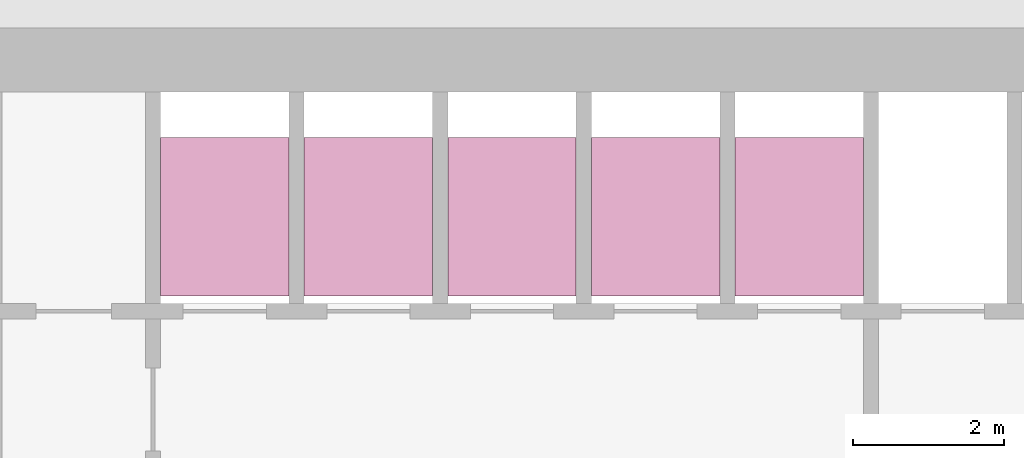
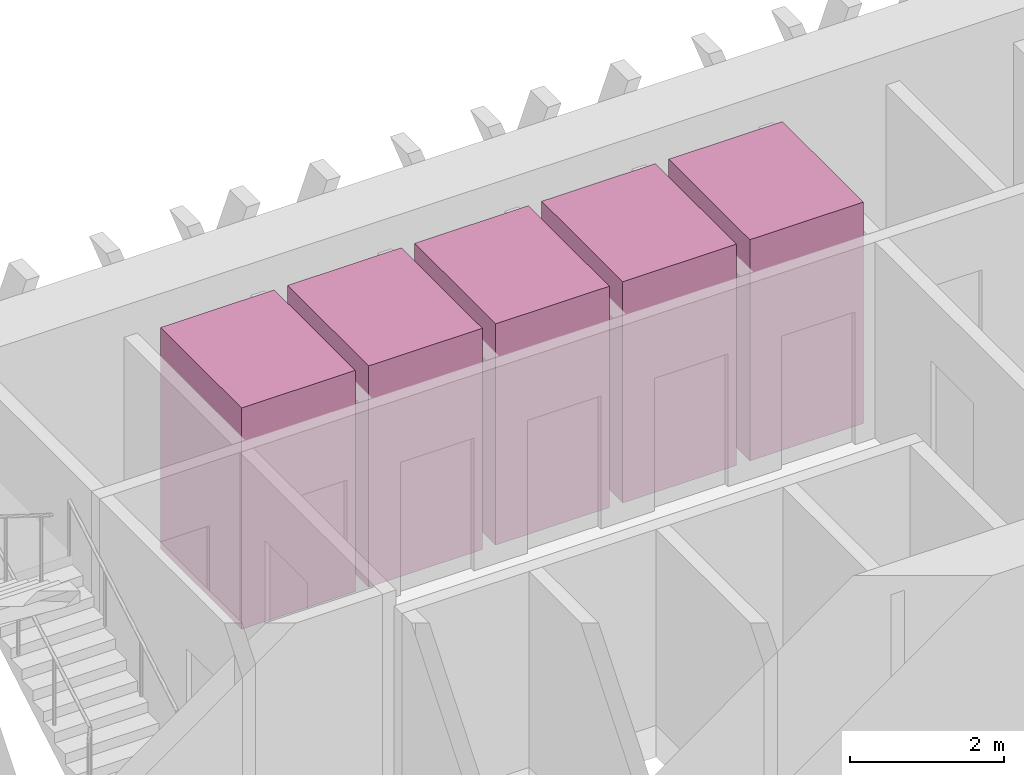
# One storey, part 16 of 16: 5 transport elements.
"""IFC4 building model written with IfcOpenShell, lengths in metres."""

import ifcopenshell
import ifcopenshell.guid

model = None  # the IFC model being written
_history = None  # IfcOwnerHistory: only IFC2X3 demands one
_inside = {}  # id of a spatial element -> (the spatial element, [elements in it])
_under = {}  # id of a project, library or spatial element -> (it, [spatial elements below it])
_declared = {}  # id of a project -> (the project, [libraries it declares])
_typed = {}  # id of a type object -> (the type object, [elements of that type])
_made_of = {}  # id of a material, layer set ... -> (it, [elements and type objects made of it])


def new_model(schema):
    """Start an empty IFC model of exactly this schema.

    Asked for "IFC4X3", IfcOpenShell would pick the latest addendum, in which some entities
    have other attributes; the version numbers below select the first issue.
    IFC2X3 requires an IfcOwnerHistory on every rooted entity: one is made here for all.
    """
    global model, _history
    if schema == "IFC4X3":
        model = ifcopenshell.file(schema_version=(4, 3, 0, 0))
    else:
        model = ifcopenshell.file(schema=schema)
    _inside.clear()
    _under.clear()
    _declared.clear()
    _typed.clear()
    _made_of.clear()
    _history = None
    if model.schema == "IFC2X3":
        org = make("IfcOrganization", Name="unknown")
        user = make(
            "IfcPersonAndOrganization",
            ThePerson=make("IfcPerson", FamilyName="unknown"),
            TheOrganization=org,
        )
        app = make(
            "IfcApplication",
            ApplicationDeveloper=org,
            Version="unknown",
            ApplicationFullName="unknown",
            ApplicationIdentifier="unknown",
        )
        _history = make(
            "IfcOwnerHistory",
            OwningUser=user,
            OwningApplication=app,
            ChangeAction="ADDED",
            CreationDate=0,
        )
    return model


def make(cls, **values):
    """One entity of the class cls with the attributes given. An attribute that is None is left unset."""
    return model.create_entity(
        cls, **{name: value for name, value in values.items() if value is not None}
    )


def rooted(cls, **values):
    """An entity with a GlobalId (a new one), such as an element, a storey or a relation."""
    return make(cls, GlobalId=ifcopenshell.guid.new(), OwnerHistory=_history, **values)


def si_unit(unit_type, name, prefix=None):
    """IfcSIUnit, for example si_unit("LENGTHUNIT", "METRE", prefix="MILLI")."""
    return make("IfcSIUnit", UnitType=unit_type, Prefix=prefix, Name=name)


def assignment(units):
    """IfcUnitAssignment: the units of a project."""
    return None if units is None else make("IfcUnitAssignment", Units=units)


def point(xyz):
    """IfcCartesianPoint."""
    return None if xyz is None else make("IfcCartesianPoint", Coordinates=xyz)


def direction(xyz):
    """IfcDirection."""
    return None if xyz is None else make("IfcDirection", DirectionRatios=xyz)


def frame(location, z_axis=None, x_axis=None):
    """IfcAxis2Placement3D, a coordinate frame: its origin and axes. An axis left out is left unset."""
    return make(
        "IfcAxis2Placement3D",
        Location=point(location),
        Axis=direction(z_axis),
        RefDirection=direction(x_axis),
    )


def frame_2d(location, x_axis=None):
    """IfcAxis2Placement2D, a coordinate frame in the plane: its origin and x axis."""
    return make(
        "IfcAxis2Placement2D", Location=point(location), RefDirection=direction(x_axis)
    )


def origin():
    """The frame at (0, 0, 0) with its axes left unset."""
    return frame((0.0, 0.0, 0.0))


def origin_2d():
    """The frame at (0, 0) in the plane with its x axis left unset."""
    return frame_2d((0.0, 0.0))


def place(relative_to, where):
    """IfcLocalPlacement: puts the frame where relative to a parent placement (None: the world)."""
    return make(
        "IfcLocalPlacement", PlacementRelTo=relative_to, RelativePlacement=where
    )


def context(
    kind, dimensions, precision=None, world=None, true_north=None, identifier=None
):
    """IfcGeometricRepresentationContext, for example the 3D "Model" context."""
    return make(
        "IfcGeometricRepresentationContext",
        ContextIdentifier=identifier,
        ContextType=kind,
        CoordinateSpaceDimension=dimensions,
        Precision=precision,
        WorldCoordinateSystem=world,
        TrueNorth=true_north,
    )


def subcontext(parent, identifier, kind, view, scale=None):
    """IfcGeometricRepresentationSubContext, for example "Body" below "Model"."""
    return make(
        "IfcGeometricRepresentationSubContext",
        ContextIdentifier=identifier,
        ContextType=kind,
        ParentContext=parent,
        TargetScale=scale,
        TargetView=view,
    )


def project(units=None, contexts=None):
    """IfcProject with its units and contexts."""
    return rooted(
        "IfcProject",
        Name="project",
        RepresentationContexts=contexts,
        UnitsInContext=assignment(units),
    )


def spatial(cls, under=None, at=None, **own):
    """A site, building, storey or space (cls), placed at a placement, below another one or the project."""
    s = rooted(cls, ObjectPlacement=at, **own)
    if under is not None:
        _under.setdefault(under.id(), (under, []))[1].append(s)
    return s


def profile(cls, at=None, kind="AREA", **sizes):
    """A parametric profile (cls). Its sizes go by their IFC names, for example OverallWidth=200.0."""
    return make(cls, ProfileType=kind, Position=at, **sizes)


def rectangle(**sizes):
    """IfcRectangleProfileDef."""
    return profile("IfcRectangleProfileDef", **sizes)


def extrude(swept, where, along, depth):
    """IfcExtrudedAreaSolid: the profile swept, set in the frame where, extruded along a direction by depth."""
    return make(
        "IfcExtrudedAreaSolid",
        SweptArea=swept,
        Position=where,
        ExtrudedDirection=direction(along),
        Depth=depth,
    )


def shape(context_of_items, identifier, shape_type, items):
    """IfcShapeRepresentation: the items that make up one representation, for example the "Body"."""
    return make(
        "IfcShapeRepresentation",
        ContextOfItems=context_of_items,
        RepresentationIdentifier=identifier,
        RepresentationType=shape_type,
        Items=items,
    )


def material(Name=None, Category=None):
    """IfcMaterial."""
    return make("IfcMaterial", Name=Name, Category=Category)


def made_of(thing, what):
    """Note that an element or type object is made of a material, layer set ...; save() writes the relation."""
    if what is not None:
        _made_of.setdefault(what.id(), (what, []))[1].append(thing)
    return thing


def type_object(cls, material=None, **own):
    """A type object (cls), such as IfcWallType, which elements share."""
    return made_of(rooted(cls, **own), material)


def element(
    cls,
    number,
    at=None,
    inside=None,
    cuts=None,
    type_object=None,
    material=None,
    context=None,
    identifier="Body",
    shape_type=None,
    held_by="IfcProductDefinitionShape",
    body=None,
    shapes=None,
    **own,
):
    """One element of the class cls, such as IfcWall. Its Tag is "e" and its number.

    at: its placement. inside: the storey or other place that contains it. cuts: it is an
    opening in that element (IfcRelVoidsElement). A single representation is given by context,
    identifier, shape_type and body (its items); several are given by shapes. held_by: the class
    of the entity that holds the representations. save() writes the other relations.
    """
    e = rooted(cls, Tag="e%d" % number, ObjectPlacement=at, **own)
    if body is not None:
        shapes = [shape(context, identifier, shape_type, body)]
    if shapes is not None:
        e.Representation = make(held_by, Representations=shapes)
    if inside is not None:
        _inside.setdefault(inside.id(), (inside, []))[1].append(e)
    if cuts is not None:
        rooted(
            "IfcRelVoidsElement", RelatingBuildingElement=cuts, RelatedOpeningElement=e
        )
    if type_object is not None:
        _typed.setdefault(type_object.id(), (type_object, []))[1].append(e)
    return made_of(e, material)


def aggregate(whole, parts):
    """IfcRelAggregates: a whole, such as a stair, and the parts it consists of."""
    return rooted("IfcRelAggregates", RelatingObject=whole, RelatedObjects=parts)


def save(model, path):
    """Write the relations noted so far, then the file.

    IfcRelAggregates (storeys below a building ...), IfcRelContainedInSpatialStructure (elements
    in a storey), IfcRelDefinesByType, IfcRelAssociatesMaterial and IfcRelDeclares: one each for
    every whole, place, type object, material and project.
    """
    for whole, parts in _under.values():
        aggregate(whole, parts)
    for where, things in _inside.values():
        rooted(
            "IfcRelContainedInSpatialStructure",
            RelatedElements=things,
            RelatingStructure=where,
        )
    for kind, things in _typed.values():
        rooted("IfcRelDefinesByType", RelatedObjects=things, RelatingType=kind)
    for what, things in _made_of.values():
        rooted("IfcRelAssociatesMaterial", RelatedObjects=things, RelatingMaterial=what)
    for by, libraries in _declared.values():
        rooted("IfcRelDeclares", RelatingContext=by, RelatedDefinitions=libraries)
    model.write(path)


model = new_model("IFC4")

# Units and contexts
model_context = context("Model", 3, precision=1e-05, world=origin(), true_north=direction((0.0, 1.0)))
body_context = subcontext(model_context, "Body", "Model", "MODEL_VIEW")
ifc_project = project(units=[si_unit("LENGTHUNIT", "METRE"), si_unit("AREAUNIT", "SQUARE_METRE"), si_unit("VOLUMEUNIT", "CUBIC_METRE"), si_unit("PLANEANGLEUNIT", "RADIAN"), si_unit("MASSUNIT", "GRAM", prefix="KILO")], contexts=[model_context])

# Site, building, storey
site_placement = place(None, origin())
site = spatial("IfcSite", under=ifc_project, at=site_placement, CompositionType="ELEMENT")
building_placement = place(site_placement, origin())
building = spatial("IfcBuilding", under=site, at=building_placement, Name="Altiplano Prism Tower", CompositionType="ELEMENT")
storey_placement = place(building_placement, frame((0.0, 0.0, 73.800048828125)))
storey = spatial("IfcBuildingStorey", under=building, at=storey_placement, Name="L18", CompositionType="ELEMENT", Elevation=73.800048828125)

# Transport elements
ifc_material = material(Name="Stainless steel lift car", Category="steel")
transport_element_type = type_object("IfcTransportElementType", Name="Passenger lift car 1600 x 2100", PredefinedType="ELEVATOR", material=ifc_material)
for number, where, z_axis, x_axis, name in (
    (1, (79.050048828125, 101.75, 0.050048828125), (0.0, 0.0, 1.0), (1.0, 0.0, 0.0), "Low Zone Passenger Lift 1"),
    (2, (80.949951171875, 101.75, 0.050048828125), (0.0, 0.0, 1.0), (1.0, 0.0, 0.0), "Low Zone Passenger Lift 2"),
    (3, (82.85009765625, 101.75, 0.050048828125), (0.0, 0.0, 1.0), (1.0, 0.0, 0.0), "Low Zone Passenger Lift 3"),
    (4, (84.75, 101.75, 0.050048828125), (0.0, 0.0, 1.0), (1.0, 0.0, 0.0), "Low Zone Passenger Lift 4"),
    (5, (86.64990234375, 101.75, 0.050048828125), (0.0, 0.0, 1.0), (1.0, 0.0, 0.0), "Low Zone Passenger Lift 5"),
):
    element("IfcTransportElement", number, at=place(storey_placement, frame(where, z_axis=z_axis, x_axis=x_axis)), inside=storey, type_object=transport_element_type, Name=name, PredefinedType="ELEVATOR", context=body_context, shape_type="SweptSolid", body=[
        extrude(rectangle(XDim=1.699951171875, YDim=2.10009765625, at=origin_2d()), origin(), (0.0, 0.0, 1.0), 3.5),
    ])

save(model, "model.ifc")
